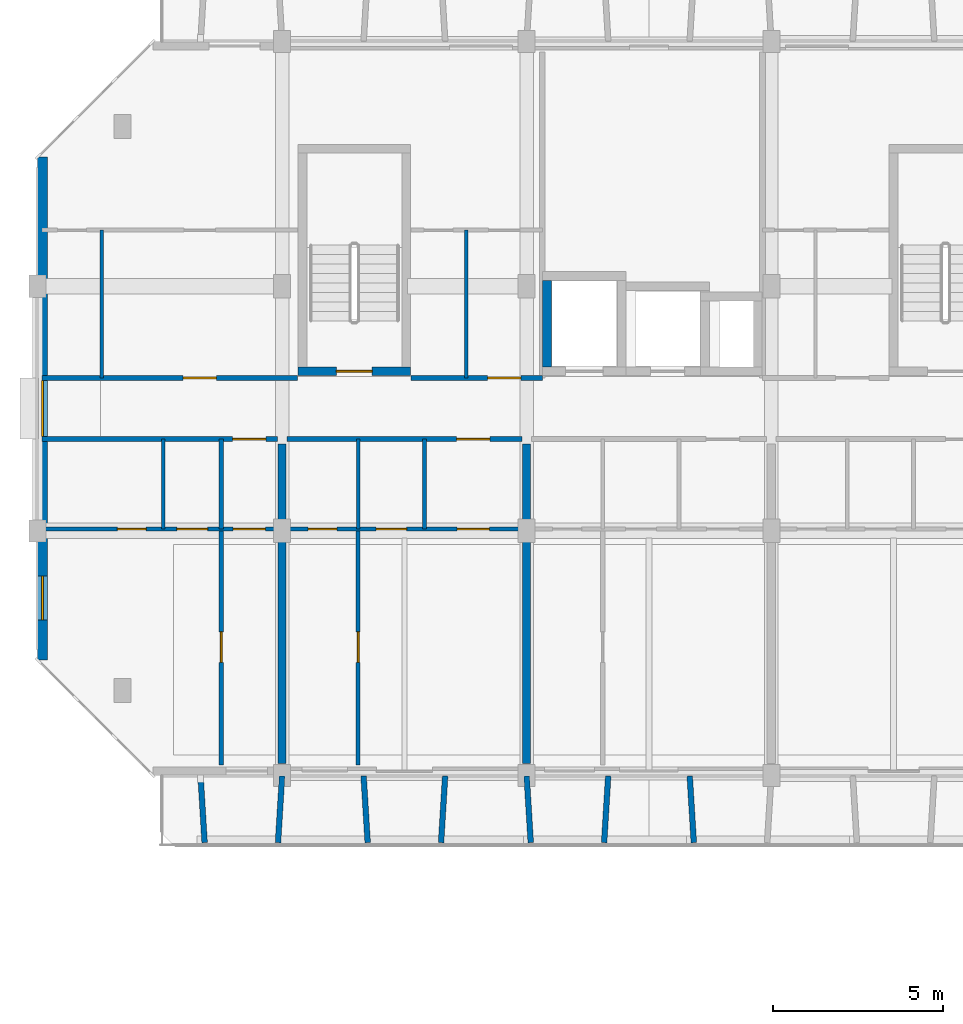
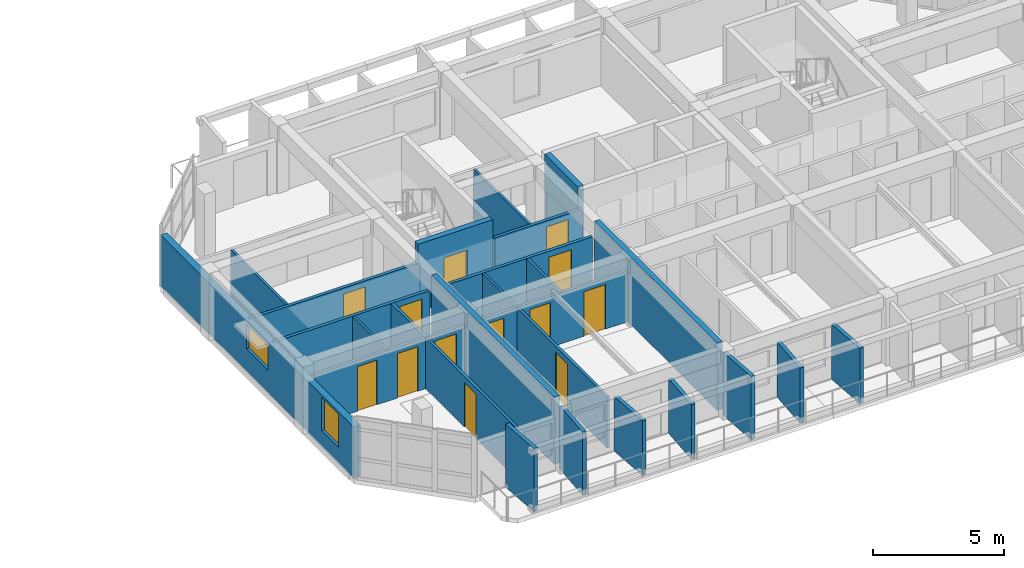
# One storey, part 31 of 64: 26 walls, 13 doors, 2 windows, 15 openings.
"""IFC4 building model written with IfcOpenShell, lengths in metres."""

from ifc_helpers import new_model, si_unit, direction, frame, frame_2d, origin, place, context, subcontext, project, spatial, rectangle, extrude, material, layer, layer_set, type_object, element, fill, save


model = new_model("IFC4")

# Units and contexts
model_context = context("Model", 3, precision=1e-05, world=origin(), true_north=direction((0.0, 1.0)))
body_context = subcontext(model_context, "Body", "Model", "MODEL_VIEW")
ifc_project = project(units=[si_unit("LENGTHUNIT", "METRE"), si_unit("AREAUNIT", "SQUARE_METRE"), si_unit("VOLUMEUNIT", "CUBIC_METRE"), si_unit("PLANEANGLEUNIT", "RADIAN"), si_unit("MASSUNIT", "GRAM", prefix="KILO")], contexts=[model_context])

# Site, building, storey
site_placement = place(None, origin())
site = spatial("IfcSite", under=ifc_project, at=site_placement, CompositionType="ELEMENT")
building_placement = place(site_placement, origin())
building = spatial("IfcBuilding", under=site, at=building_placement, Name="Ochrevale Crest", CompositionType="ELEMENT")
storey_placement = place(building_placement, frame((0.0, 0.0, 8.699951171875)))
storey = spatial("IfcBuildingStorey", under=building, at=storey_placement, Name="L02", CompositionType="ELEMENT", Elevation=8.699951171875)

# Wall, opening, door
ifc_material_1 = material(Name="Gypsum plasterboard", Category="gypsum")
ifc_layer_1 = layer(ifc_material_1, 0.139892578125)
ifc_layer_set_1 = layer_set([ifc_layer_1], Name="Gypsum plasterboard")
wall_type_1 = type_object("IfcWallType", Name="WL-COR-140", PredefinedType="PARTITIONING", material=ifc_layer_set_1)
wall_1_placement = place(storey_placement, frame((0.139892578125, 24.300048828125, 0.0), z_axis=(0.0, 0.0, 1.0), x_axis=(1.0, 0.0, 0.0)))
wall_1 = element("IfcWall", 1, at=wall_1_placement, inside=storey, type_object=wall_type_1, Name="Apartment A-L02-U1 corridor wall", PredefinedType="PARTITIONING", context=body_context, shape_type="SweptSolid", body=[
    extrude(rectangle(XDim=6.920166015625, YDim=0.139892578125, at=frame_2d((3.4599609375, 0.0))), origin(), (0.0, 0.0, 1.0), 2.380126953125),
])
opening_1_placement = place(wall_1_placement, frame((6.5849609375, 0.0, 0.0), z_axis=(0.0, 0.0, 1.0), x_axis=(-1.0, 0.0, 0.0)))
opening_1 = element("IfcOpeningElement", 2, at=opening_1_placement, cuts=wall_1, Name="Opening FD01", PredefinedType="OPENING", context=body_context, shape_type="SweptSolid", body=[
    extrude(rectangle(XDim=0.97998046875, YDim=2.10009765625, at=frame_2d((0.489990234375, 1.050048828125))), frame((0.0, 0.080078125, 0.0), z_axis=(0.0, -1.0, 0.0), x_axis=(1.0, 0.0, 0.0)), (0.0, 0.0, 1.0), 0.159912109375),
])
ifc_material_2 = material(Name="Solid-core FSC hardwood", Category="wood")
door_type_1 = type_object("IfcDoorType", Name="DR-APT-950", OperationType="NOTDEFINED", PredefinedType="DOOR", material=ifc_material_2)
door_1_placement = place(opening_1_placement, origin())
door_1 = element("IfcDoor", 3, at=door_1_placement, inside=storey, type_object=door_type_1, Name="Apartment A-L02-U1 entrance door", OperationType="SINGLE_SWING_RIGHT", OverallHeight=2.10009765625, OverallWidth=0.97998046875, PredefinedType="DOOR", context=body_context, shape_type="SweptSolid", body=[
    extrude(rectangle(XDim=0.97998046875, YDim=2.10009765625, at=frame_2d((0.489990234375, 1.050048828125))), frame((0.0, 0.02490234375, 0.0), z_axis=(0.0, -1.0, 0.0), x_axis=(1.0, 0.0, 0.0)), (0.0, 0.0, 1.0), 0.050048828125),
])
fill(opening_1, door_1)

wall_2_placement = place(storey_placement, frame((7.340087890625, 24.300048828125, 0.0), z_axis=(0.0, 0.0, 1.0), x_axis=(1.0, 0.0, 0.0)))
wall_2 = element("IfcWall", 4, at=wall_2_placement, inside=storey, type_object=wall_type_1, Name="Apartment A-L02-U2 corridor wall", PredefinedType="PARTITIONING", context=body_context, shape_type="SweptSolid", body=[
    extrude(rectangle(XDim=6.919921875, YDim=0.139892578125, at=frame_2d((3.4599609375, 0.0))), origin(), (0.0, 0.0, 1.0), 2.380126953125),
])
opening_2_placement = place(wall_2_placement, frame((4.9951171875, 0.0, 0.0)))
opening_2 = element("IfcOpeningElement", 5, at=opening_2_placement, cuts=wall_2, Name="Opening FD01", PredefinedType="OPENING", context=body_context, shape_type="SweptSolid", body=[
    extrude(rectangle(XDim=0.97998046875, YDim=2.10009765625, at=frame_2d((0.489990234375, 1.050048828125))), frame((0.0, 0.080078125, 0.0), z_axis=(0.0, -1.0, 0.0), x_axis=(1.0, 0.0, 0.0)), (0.0, 0.0, 1.0), 0.159912109375),
])
door_2_placement = place(opening_2_placement, origin())
door_2 = element("IfcDoor", 6, at=door_2_placement, inside=storey, type_object=door_type_1, Name="Apartment A-L02-U2 entrance door", OperationType="SINGLE_SWING_LEFT", OverallHeight=2.10009765625, OverallWidth=0.97998046875, PredefinedType="DOOR", context=body_context, shape_type="SweptSolid", body=[
    extrude(rectangle(XDim=0.97998046875, YDim=2.10009765625, at=frame_2d((0.489990234375, 1.050048828125))), frame((0.0, 0.02490234375, 0.0), z_axis=(0.0, -1.0, 0.0), x_axis=(1.0, 0.0, 0.0)), (0.0, 0.0, 1.0), 0.050048828125),
])
fill(opening_2, door_2)

wall_3_placement = place(storey_placement, frame((0.139892578125, 26.10009765625, 0.0), z_axis=(0.0, 0.0, 1.0), x_axis=(1.0, 0.0, 0.0)))
wall_3 = element("IfcWall", 7, at=wall_3_placement, inside=storey, type_object=wall_type_1, Name="Suite A-L02-CW corridor wall", PredefinedType="PARTITIONING", context=body_context, shape_type="SweptSolid", body=[
    extrude(rectangle(XDim=7.52001953125, YDim=0.139892578125, at=frame_2d((3.760009765625, 0.0))), origin(), (0.0, 0.0, 1.0), 2.380126953125),
])
opening_3_placement = place(wall_3_placement, frame((5.125, 0.0, 0.0), z_axis=(0.0, 0.0, 1.0), x_axis=(-1.0, 0.0, 0.0)))
opening_3 = element("IfcOpeningElement", 8, at=opening_3_placement, cuts=wall_3, Name="Opening FD01", PredefinedType="OPENING", context=body_context, shape_type="SweptSolid", body=[
    extrude(rectangle(XDim=0.97998046875, YDim=2.10009765625, at=frame_2d((0.489990234375, 1.050048828125))), frame((0.0, 0.080078125, 0.0), z_axis=(0.0, -1.0, 0.0), x_axis=(1.0, 0.0, 0.0)), (0.0, 0.0, 1.0), 0.159912109375),
])
door_3_placement = place(opening_3_placement, origin())
door_3 = element("IfcDoor", 9, at=door_3_placement, inside=storey, type_object=door_type_1, Name="Suite A-L02-CW entrance door", OperationType="SINGLE_SWING_RIGHT", OverallHeight=2.10009765625, OverallWidth=0.97998046875, PredefinedType="DOOR", context=body_context, shape_type="SweptSolid", body=[
    extrude(rectangle(XDim=0.97998046875, YDim=2.10009765625, at=frame_2d((0.489990234375, 1.050048828125))), frame((0.0, 0.02490234375, 0.0), z_axis=(0.0, -1.0, 0.0), x_axis=(1.0, 0.0, 0.0)), (0.0, 0.0, 1.0), 0.050048828125),
])
fill(opening_3, door_3)

wall_4_placement = place(storey_placement, frame((10.989990234375, 26.10009765625, 0.0), z_axis=(0.0, 0.0, 1.0), x_axis=(1.0, 0.0, 0.0)))
wall_4 = element("IfcWall", 10, at=wall_4_placement, inside=storey, type_object=wall_type_1, Name="Suite A-L02-MW corridor wall", PredefinedType="PARTITIONING", context=body_context, shape_type="SweptSolid", body=[
    extrude(rectangle(XDim=3.8701171875, YDim=0.139892578125, at=frame_2d((1.93505859375, 0.0))), origin(), (0.0, 0.0, 1.0), 2.380126953125),
])
opening_4_placement = place(wall_4_placement, frame((2.2578125, 0.0, 0.0)))
opening_4 = element("IfcOpeningElement", 11, at=opening_4_placement, cuts=wall_4, Name="Opening FD01", PredefinedType="OPENING", context=body_context, shape_type="SweptSolid", body=[
    extrude(rectangle(XDim=0.97998046875, YDim=2.10009765625, at=frame_2d((0.489990234375, 1.050048828125))), frame((0.0, 0.080078125, 0.0), z_axis=(0.0, -1.0, 0.0), x_axis=(1.0, 0.0, 0.0)), (0.0, 0.0, 1.0), 0.159912109375),
])
door_4_placement = place(opening_4_placement, origin())
door_4 = element("IfcDoor", 12, at=door_4_placement, inside=storey, type_object=door_type_1, Name="Suite A-L02-MW entrance door", OperationType="SINGLE_SWING_LEFT", OverallHeight=2.10009765625, OverallWidth=0.97998046875, PredefinedType="DOOR", context=body_context, shape_type="SweptSolid", body=[
    extrude(rectangle(XDim=0.97998046875, YDim=2.10009765625, at=frame_2d((0.489990234375, 1.050048828125))), frame((0.0, 0.02490234375, 0.0), z_axis=(0.0, -1.0, 0.0), x_axis=(1.0, 0.0, 0.0)), (0.0, 0.0, 1.0), 0.050048828125),
])
fill(opening_4, door_4)

ifc_material_3 = material(Name="Precast concrete C50/60", Category="concrete")
ifc_layer_2 = layer(ifc_material_3, 0.2548828125)
ifc_layer_set_2 = layer_set([ifc_layer_2], Name="Precast concrete C50/60")
wall_type_2 = type_object("IfcWallType", Name="WL-CORE-255", PredefinedType="SHEAR", material=ifc_layer_set_2)
wall_5_placement = place(storey_placement, frame((7.672607421875, 26.300048828125, 0.0), z_axis=(0.0, 0.0, 1.0), x_axis=(1.0, 0.0, 0.0)))
wall_5 = element("IfcWall", 13, at=wall_5_placement, inside=storey, type_object=wall_type_2, Name="Block A L02 Stair 1 precast core shear wall S", PredefinedType="SHEAR", context=body_context, shape_type="SweptSolid", body=[
    extrude(rectangle(XDim=3.304931640625, YDim=0.2548828125, at=frame_2d((1.65234375, 0.0))), origin(), (0.0, 0.0, 1.0), 3.150146484375),
])
opening_5_placement = place(wall_5_placement, frame((2.177490234375, 0.0, 0.0), z_axis=(0.0, 0.0, 1.0), x_axis=(-1.0, 0.0, 0.0)))
opening_5 = element("IfcOpeningElement", 14, at=opening_5_placement, cuts=wall_5, Name="Opening FD03", PredefinedType="OPENING", context=body_context, shape_type="SweptSolid", body=[
    extrude(rectangle(XDim=1.050048828125, YDim=2.1201171875, at=frame_2d((0.52490234375, 1.06005859375))), frame((0.0, 0.137451171875, 0.0), z_axis=(0.0, -1.0, 0.0), x_axis=(1.0, 0.0, 0.0)), (0.0, 0.0, 1.0), 0.27490234375),
])
door_type_2 = type_object("IfcDoorType", Name="DR-ST-1050", OperationType="NOTDEFINED", PredefinedType="DOOR", material=ifc_material_2)
door_5_placement = place(opening_5_placement, origin())
door_5 = element("IfcDoor", 15, at=door_5_placement, inside=storey, type_object=door_type_2, Name="Block A L02 fire stair 1 door", OperationType="SINGLE_SWING_RIGHT", OverallHeight=2.1201171875, OverallWidth=1.050048828125, PredefinedType="DOOR", context=body_context, shape_type="SweptSolid", body=[
    extrude(rectangle(XDim=1.050048828125, YDim=2.1201171875, at=frame_2d((0.52490234375, 1.06005859375))), frame((0.0, 0.02490234375, 0.0), z_axis=(0.0, -1.0, 0.0), x_axis=(1.0, 0.0, 0.0)), (0.0, 0.0, 1.0), 0.050048828125),
])
fill(opening_5, door_5)

# Wall
wall_6_placement = place(storey_placement, frame((15.0, 26.427490234375, 0.0), z_axis=(0.0, 0.0, 1.0), x_axis=(0.0, 1.0, 0.0)))
element("IfcWall", 16, at=wall_6_placement, inside=storey, type_object=wall_type_2, Name="Block A L02 Lift 1 precast shaft shear wall W", PredefinedType="SHEAR", context=body_context, shape_type="SweptSolid", body=[
    extrude(rectangle(XDim=2.544921875, YDim=0.2548828125, at=frame_2d((1.2724609375, 0.0))), origin(), (0.0, 0.0, 1.0), 3.150146484375),
])

# Wall, openings, windows
ifc_material_4 = material(Name="Clay face brickwork", Category="masonry")
ifc_layer_3 = layer(ifc_material_4, 0.2900390625)
ifc_layer_set_3 = layer_set([ifc_layer_3], Name="Clay face brickwork")
wall_type_3 = type_object("IfcWallType", Name="WL-EXT-BRICK-290", PredefinedType="SOLIDWALL", material=ifc_layer_set_3)
wall_7_placement = place(storey_placement, frame((0.14501953125, 32.60009765625, 0.0), z_axis=(0.0, 0.0, 1.0), x_axis=(0.0, -1.0, 0.0)))
wall_7 = element("IfcWall", 17, at=wall_7_placement, inside=storey, type_object=wall_type_3, Name="Block A L02 external facade wall E7", PredefinedType="SOLIDWALL", context=body_context, shape_type="SweptSolid", body=[
    extrude(rectangle(XDim=14.800048828125, YDim=0.2900390625, at=frame_2d((7.39990234375, 0.0))), origin(), (0.0, 0.0, 1.0), 2.380126953125),
])
opening_6_placement = place(wall_7_placement, frame((6.574951171875, 0.0, 1.050048828125)))
opening_6 = element("IfcOpeningElement", 18, at=opening_6_placement, cuts=wall_7, Name="Opening W19", PredefinedType="OPENING", context=body_context, shape_type="SweptSolid", body=[
    extrude(rectangle(XDim=1.64990234375, YDim=1.14990234375, at=frame_2d((0.824951171875, 0.574951171875))), frame((0.0, 0.155029296875, 0.0), z_axis=(0.0, -1.0, 0.0), x_axis=(1.0, 0.0, 0.0)), (0.0, 0.0, 1.0), 0.31005859375),
])
opening_7_placement = place(wall_7_placement, frame((12.327392578125, 0.0, 0.719970703125)))
opening_7 = element("IfcOpeningElement", 19, at=opening_7_placement, cuts=wall_7, Name="Opening W30", PredefinedType="OPENING", context=body_context, shape_type="SweptSolid", body=[
    extrude(rectangle(XDim=1.300048828125, YDim=1.550048828125, at=frame_2d((0.64990234375, 0.77490234375))), frame((0.0, 0.155029296875, 0.0), z_axis=(0.0, -1.0, 0.0), x_axis=(1.0, 0.0, 0.0)), (0.0, 0.0, 1.0), 0.31005859375),
])
ifc_material_5 = material(Name="Anodised aluminium 6063-T5 and low-E double glazing", Category="aluminium")
window_type_1 = type_object("IfcWindowType", Name="WIN-W19", PartitioningType="SINGLE_PANEL", PredefinedType="WINDOW", material=ifc_material_5)
window_1_placement = place(opening_6_placement, origin())
window_1 = element("IfcWindow", 20, at=window_1_placement, inside=storey, type_object=window_type_1, Name="Block A L02 corridor end daylight window W", OverallHeight=1.14990234375, OverallWidth=1.64990234375, PartitioningType="SINGLE_PANEL", PredefinedType="WINDOW", context=body_context, shape_type="SweptSolid", body=[
    extrude(rectangle(XDim=1.64990234375, YDim=1.14990234375, at=frame_2d((0.824951171875, 0.574951171875))), frame((0.0, 0.030029296875, 0.0), z_axis=(0.0, -1.0, 0.0), x_axis=(1.0, 0.0, 0.0)), (0.0, 0.0, 1.0), 0.06005859375),
])
fill(opening_6, window_1)
window_type_2 = type_object("IfcWindowType", Name="WIN-W30", PartitioningType="SINGLE_PANEL", PredefinedType="WINDOW", material=ifc_material_5)
window_2_placement = place(opening_7_placement, origin())
window_2 = element("IfcWindow", 21, at=window_2_placement, inside=storey, type_object=window_type_2, Name="Block A L02 side suite window W", OverallHeight=1.550048828125, OverallWidth=1.300048828125, PartitioningType="SINGLE_PANEL", PredefinedType="WINDOW", context=body_context, shape_type="SweptSolid", body=[
    extrude(rectangle(XDim=1.300048828125, YDim=1.550048828125, at=frame_2d((0.64990234375, 0.77490234375))), frame((0.0, 0.030029296875, 0.0), z_axis=(0.0, -1.0, 0.0), x_axis=(1.0, 0.0, 0.0)), (0.0, 0.0, 1.0), 0.06005859375),
])
fill(opening_7, window_2)

# Walls
ifc_material_6 = material(Name="Precast concrete C40/50", Category="concrete")
ifc_layer_4 = layer(ifc_material_6, 0.1650390625)
ifc_layer_set_4 = layer_set([ifc_layer_4], Name="Precast concrete C40/50")
wall_type_4 = type_object("IfcWallType", Name="WL-HC-CHEEK-165", PredefinedType="ELEMENTEDWALL", material=ifc_layer_set_4)
for number, where, z_axis, x_axis, name in (
    (22, (4.800048828125, 14.3798828125, 0.0), (0.0, 0.0, 1.0), (0.061046865508, -0.998134900808, 0.0), "Block A L02 S precast honeycomb cheek 1"),
    (23, (7.199951171875, 14.3798828125, 0.0), (0.0, 0.0, 1.0), (-0.061046865508, -0.998134900808, 0.0), "Block A L02 S precast honeycomb cheek 2"),
):
    element("IfcWall", number, at=place(storey_placement, frame(where, z_axis=z_axis, x_axis=x_axis)), inside=storey, type_object=wall_type_4, Name=name, PredefinedType="ELEMENTEDWALL", context=body_context, shape_type="SweptSolid", body=[
        extrude(rectangle(XDim=1.963623046875, YDim=0.1650390625, at=frame_2d((0.98193359375, 0.0))), origin(), (0.0, 0.0, 1.0), 2.949951171875),
    ])
for number, where, z_axis, x_axis, name in (
    (24, (9.60009765625, 14.3798828125, 0.0), (0.0, 0.0, 1.0), (0.061046865508, -0.998134900808, 0.0), "Block A L02 S precast honeycomb cheek 3"),
    (25, (12.0, 14.3798828125, 0.0), (0.0, 0.0, 1.0), (-0.061170732449, -0.998127317276, 0.0), "Block A L02 S precast honeycomb cheek 4"),
):
    element("IfcWall", number, at=place(storey_placement, frame(where, z_axis=z_axis, x_axis=x_axis)), inside=storey, type_object=wall_type_4, Name=name, PredefinedType="ELEMENTEDWALL", context=body_context, shape_type="SweptSolid", body=[
        extrude(rectangle(XDim=1.963623046875, YDim=0.1650390625, at=frame_2d((0.98193359375, 0.0))), origin(), (0.0, 0.0, 1.0), 2.550048828125),
    ])
wall_8_placement = place(storey_placement, frame((14.39990234375, 14.3798828125, 0.0), z_axis=(0.0, 0.0, 1.0), x_axis=(0.061170732449, -0.998127317276, 0.0)))
element("IfcWall", 26, at=wall_8_placement, inside=storey, type_object=wall_type_4, Name="Block A L02 S precast honeycomb cheek 5", PredefinedType="ELEMENTEDWALL", context=body_context, shape_type="SweptSolid", body=[
    extrude(rectangle(XDim=1.963623046875, YDim=0.1650390625, at=frame_2d((0.98193359375, 0.0))), origin(), (0.0, 0.0, 1.0), 2.949951171875),
])
for number, where, z_axis, x_axis, name in (
    (27, (16.800048828125, 14.3798828125, 0.0), (0.0, 0.0, 1.0), (-0.061170732449, -0.998127317276, 0.0), "Block A L02 S precast honeycomb cheek 6"),
    (28, (19.199951171875, 14.3798828125, 0.0), (0.0, 0.0, 1.0), (0.061170732449, -0.998127317276, 0.0), "Block A L02 S precast honeycomb cheek 7"),
):
    element("IfcWall", number, at=place(storey_placement, frame(where, z_axis=z_axis, x_axis=x_axis)), inside=storey, type_object=wall_type_4, Name=name, PredefinedType="ELEMENTEDWALL", context=body_context, shape_type="SweptSolid", body=[
        extrude(rectangle(XDim=1.963623046875, YDim=0.1650390625, at=frame_2d((0.98193359375, 0.0))), origin(), (0.0, 0.0, 1.0), 2.580078125),
    ])
ifc_layer_5 = layer(ifc_material_1, 0.1201171875)
ifc_layer_set_5 = layer_set([ifc_layer_5], Name="Gypsum plasterboard")
wall_type_5 = type_object("IfcWallType", Name="WL-PART-120", PredefinedType="PARTITIONING", material=ifc_layer_set_5)
wall_9_placement = place(storey_placement, frame((5.409912109375, 21.64990234375, 0.0), z_axis=(0.0, 0.0, 1.0), x_axis=(0.0, 1.0, 0.0)))
element("IfcWall", 29, at=wall_9_placement, inside=storey, type_object=wall_type_5, Name="Apartment A-L02-U1 kitchen-foyer wall", PredefinedType="PARTITIONING", context=body_context, shape_type="SweptSolid", body=[
    extrude(rectangle(XDim=2.650146484375, YDim=0.1201171875, at=frame_2d((1.3251953125, 0.0))), origin(), (0.0, 0.0, 1.0), 2.375),
])

# Wall, openings, doors
wall_10_placement = place(storey_placement, frame((0.139892578125, 21.64990234375, 0.0), z_axis=(0.0, 0.0, 1.0), x_axis=(1.0, 0.0, 0.0)))
wall_10 = element("IfcWall", 30, at=wall_10_placement, inside=storey, type_object=wall_type_5, Name="Apartment A-L02-U1 central partition", PredefinedType="PARTITIONING", context=body_context, shape_type="SweptSolid", body=[
    extrude(rectangle(XDim=6.920166015625, YDim=0.1201171875, at=frame_2d((3.4599609375, 0.0))), origin(), (0.0, 0.0, 1.0), 2.375),
])
opening_8_placement = place(wall_10_placement, frame((2.2099609375, 0.0, 0.0)))
opening_8 = element("IfcOpeningElement", 31, at=opening_8_placement, cuts=wall_10, Name="Opening ID01", PredefinedType="OPENING", context=body_context, shape_type="SweptSolid", body=[
    extrude(rectangle(XDim=0.85009765625, YDim=2.080078125, at=frame_2d((0.425048828125, 1.0400390625))), frame((0.0, 0.070068359375, 0.0), z_axis=(0.0, -1.0, 0.0), x_axis=(1.0, 0.0, 0.0)), (0.0, 0.0, 1.0), 0.14013671875),
])
opening_9_placement = place(wall_10_placement, frame((4.864990234375, 0.0, 0.0), z_axis=(0.0, 0.0, 1.0), x_axis=(-1.0, 0.0, 0.0)))
opening_9 = element("IfcOpeningElement", 32, at=opening_9_placement, cuts=wall_10, Name="Opening ID02", PredefinedType="OPENING", context=body_context, shape_type="SweptSolid", body=[
    extrude(rectangle(XDim=0.89990234375, YDim=2.080078125, at=frame_2d((0.449951171875, 1.0400390625))), frame((0.0, 0.070068359375, 0.0), z_axis=(0.0, -1.0, 0.0), x_axis=(1.0, 0.0, 0.0)), (0.0, 0.0, 1.0), 0.14013671875),
])
opening_10_placement = place(wall_10_placement, frame((5.6201171875, 0.0, 0.0)))
opening_10 = element("IfcOpeningElement", 33, at=opening_10_placement, cuts=wall_10, Name="Opening ID06", PredefinedType="OPENING", context=body_context, shape_type="SweptSolid", body=[
    extrude(rectangle(XDim=0.949951171875, YDim=2.080078125, at=frame_2d((0.47509765625, 1.0400390625))), frame((0.0, 0.070068359375, 0.0), z_axis=(0.0, -1.0, 0.0), x_axis=(1.0, 0.0, 0.0)), (0.0, 0.0, 1.0), 0.14013671875),
])
door_type_3 = type_object("IfcDoorType", Name="DR-INT-900", OperationType="NOTDEFINED", PredefinedType="DOOR", material=ifc_material_2)
door_6_placement = place(opening_9_placement, origin())
door_6 = element("IfcDoor", 34, at=door_6_placement, inside=storey, type_object=door_type_3, Name="Apartment A-L02-U1 Kitchen door", OperationType="SINGLE_SWING_RIGHT", OverallHeight=2.080078125, OverallWidth=0.89990234375, PredefinedType="DOOR", context=body_context, shape_type="SweptSolid", body=[
    extrude(rectangle(XDim=0.89990234375, YDim=2.080078125, at=frame_2d((0.449951171875, 1.0400390625))), frame((0.0, 0.02490234375, 0.0), z_axis=(0.0, -1.0, 0.0), x_axis=(1.0, 0.0, 0.0)), (0.0, 0.0, 1.0), 0.050048828125),
])
fill(opening_9, door_6)
door_type_4 = type_object("IfcDoorType", Name="DR-INT-950", OperationType="NOTDEFINED", PredefinedType="DOOR", material=ifc_material_2)
door_7_placement = place(opening_10_placement, origin())
door_7 = element("IfcDoor", 35, at=door_7_placement, inside=storey, type_object=door_type_4, Name="Apartment A-L02-U1 Living Foyer door", OperationType="SINGLE_SWING_LEFT", OverallHeight=2.080078125, OverallWidth=0.949951171875, PredefinedType="DOOR", context=body_context, shape_type="SweptSolid", body=[
    extrude(rectangle(XDim=0.949951171875, YDim=2.080078125, at=frame_2d((0.47509765625, 1.0400390625))), frame((0.0, 0.02490234375, 0.0), z_axis=(0.0, -1.0, 0.0), x_axis=(1.0, 0.0, 0.0)), (0.0, 0.0, 1.0), 0.050048828125),
])
fill(opening_10, door_7)
door_type_5 = type_object("IfcDoorType", Name="DR-WC-850", OperationType="NOTDEFINED", PredefinedType="DOOR", material=ifc_material_2)
door_8_placement = place(opening_8_placement, origin())
door_8 = element("IfcDoor", 36, at=door_8_placement, inside=storey, type_object=door_type_5, Name="Apartment A-L02-U1 Bathroom door", OperationType="SINGLE_SWING_LEFT", OverallHeight=2.080078125, OverallWidth=0.85009765625, PredefinedType="DOOR", context=body_context, shape_type="SweptSolid", body=[
    extrude(rectangle(XDim=0.85009765625, YDim=2.080078125, at=frame_2d((0.425048828125, 1.0400390625))), frame((0.0, 0.02490234375, 0.0), z_axis=(0.0, -1.0, 0.0), x_axis=(1.0, 0.0, 0.0)), (0.0, 0.0, 1.0), 0.050048828125),
])
fill(opening_8, door_8)

# Wall, opening, door
wall_11_placement = place(storey_placement, frame((5.409912109375, 14.699951171875, 0.0), z_axis=(0.0, 0.0, 1.0), x_axis=(0.0, 1.0, 0.0)))
wall_11 = element("IfcWall", 37, at=wall_11_placement, inside=storey, type_object=wall_type_5, Name="Apartment A-L02-U1 bedroom partition", PredefinedType="PARTITIONING", context=body_context, shape_type="SweptSolid", body=[
    extrude(rectangle(XDim=6.949951171875, YDim=0.1201171875, at=frame_2d((3.47509765625, 0.0))), origin(), (0.0, 0.0, 1.0), 2.375),
])
opening_11_placement = place(wall_11_placement, frame((3.9248046875, 0.0, 0.0), z_axis=(0.0, 0.0, 1.0), x_axis=(-1.0, 0.0, 0.0)))
opening_11 = element("IfcOpeningElement", 38, at=opening_11_placement, cuts=wall_11, Name="Opening ID02", PredefinedType="OPENING", context=body_context, shape_type="SweptSolid", body=[
    extrude(rectangle(XDim=0.89990234375, YDim=2.080078125, at=frame_2d((0.449951171875, 1.0400390625))), frame((0.0, 0.070068359375, 0.0), z_axis=(0.0, -1.0, 0.0), x_axis=(1.0, 0.0, 0.0)), (0.0, 0.0, 1.0), 0.14013671875),
])
door_9_placement = place(opening_11_placement, origin())
door_9 = element("IfcDoor", 39, at=door_9_placement, inside=storey, type_object=door_type_3, Name="Apartment A-L02-U1 Master Bedroom door", OperationType="SINGLE_SWING_RIGHT", OverallHeight=2.080078125, OverallWidth=0.89990234375, PredefinedType="DOOR", context=body_context, shape_type="SweptSolid", body=[
    extrude(rectangle(XDim=0.89990234375, YDim=2.080078125, at=frame_2d((0.449951171875, 1.0400390625))), frame((0.0, 0.02490234375, 0.0), z_axis=(0.0, -1.0, 0.0), x_axis=(1.0, 0.0, 0.0)), (0.0, 0.0, 1.0), 0.050048828125),
])
fill(opening_11, door_9)

# Wall
wall_12_placement = place(storey_placement, frame((11.389892578125, 21.64990234375, 0.0), z_axis=(0.0, 0.0, 1.0), x_axis=(0.0, 1.0, 0.0)))
element("IfcWall", 40, at=wall_12_placement, inside=storey, type_object=wall_type_5, Name="Apartment A-L02-U2 kitchen-foyer wall", PredefinedType="PARTITIONING", context=body_context, shape_type="SweptSolid", body=[
    extrude(rectangle(XDim=2.650146484375, YDim=0.1201171875, at=frame_2d((1.3251953125, 0.0))), origin(), (0.0, 0.0, 1.0), 2.375),
])

# Wall, openings, doors
wall_13_placement = place(storey_placement, frame((7.340087890625, 21.64990234375, 0.0), z_axis=(0.0, 0.0, 1.0), x_axis=(1.0, 0.0, 0.0)))
wall_13 = element("IfcWall", 41, at=wall_13_placement, inside=storey, type_object=wall_type_5, Name="Apartment A-L02-U2 central partition", PredefinedType="PARTITIONING", context=body_context, shape_type="SweptSolid", body=[
    extrude(rectangle(XDim=6.919921875, YDim=0.1201171875, at=frame_2d((3.4599609375, 0.0))), origin(), (0.0, 0.0, 1.0), 2.375),
])
opening_12_placement = place(wall_13_placement, frame((1.47509765625, 0.0, 0.0), z_axis=(0.0, 0.0, 1.0), x_axis=(-1.0, 0.0, 0.0)))
opening_12 = element("IfcOpeningElement", 42, at=opening_12_placement, cuts=wall_13, Name="Opening ID01", PredefinedType="OPENING", context=body_context, shape_type="SweptSolid", body=[
    extrude(rectangle(XDim=0.85009765625, YDim=2.080078125, at=frame_2d((0.425048828125, 1.0400390625))), frame((0.0, 0.070068359375, 0.0), z_axis=(0.0, -1.0, 0.0), x_axis=(1.0, 0.0, 0.0)), (0.0, 0.0, 1.0), 0.14013671875),
])
opening_13_placement = place(wall_13_placement, frame((2.625, 0.0, 0.0)))
opening_13 = element("IfcOpeningElement", 43, at=opening_13_placement, cuts=wall_13, Name="Opening ID02", PredefinedType="OPENING", context=body_context, shape_type="SweptSolid", body=[
    extrude(rectangle(XDim=0.89990234375, YDim=2.080078125, at=frame_2d((0.449951171875, 1.0400390625))), frame((0.0, 0.070068359375, 0.0), z_axis=(0.0, -1.0, 0.0), x_axis=(1.0, 0.0, 0.0)), (0.0, 0.0, 1.0), 0.14013671875),
])
opening_14_placement = place(wall_13_placement, frame((5.9599609375, 0.0, 0.0), z_axis=(0.0, 0.0, 1.0), x_axis=(-1.0, 0.0, 0.0)))
opening_14 = element("IfcOpeningElement", 44, at=opening_14_placement, cuts=wall_13, Name="Opening ID06", PredefinedType="OPENING", context=body_context, shape_type="SweptSolid", body=[
    extrude(rectangle(XDim=0.949951171875, YDim=2.080078125, at=frame_2d((0.47509765625, 1.0400390625))), frame((0.0, 0.070068359375, 0.0), z_axis=(0.0, -1.0, 0.0), x_axis=(1.0, 0.0, 0.0)), (0.0, 0.0, 1.0), 0.14013671875),
])
door_10_placement = place(opening_13_placement, origin())
door_10 = element("IfcDoor", 45, at=door_10_placement, inside=storey, type_object=door_type_3, Name="Apartment A-L02-U2 Kitchen door", OperationType="SINGLE_SWING_LEFT", OverallHeight=2.080078125, OverallWidth=0.89990234375, PredefinedType="DOOR", context=body_context, shape_type="SweptSolid", body=[
    extrude(rectangle(XDim=0.89990234375, YDim=2.080078125, at=frame_2d((0.449951171875, 1.0400390625))), frame((0.0, 0.02490234375, 0.0), z_axis=(0.0, -1.0, 0.0), x_axis=(1.0, 0.0, 0.0)), (0.0, 0.0, 1.0), 0.050048828125),
])
fill(opening_13, door_10)
door_11_placement = place(opening_14_placement, origin())
door_11 = element("IfcDoor", 46, at=door_11_placement, inside=storey, type_object=door_type_4, Name="Apartment A-L02-U2 Living Foyer door", OperationType="SINGLE_SWING_RIGHT", OverallHeight=2.080078125, OverallWidth=0.949951171875, PredefinedType="DOOR", context=body_context, shape_type="SweptSolid", body=[
    extrude(rectangle(XDim=0.949951171875, YDim=2.080078125, at=frame_2d((0.47509765625, 1.0400390625))), frame((0.0, 0.02490234375, 0.0), z_axis=(0.0, -1.0, 0.0), x_axis=(1.0, 0.0, 0.0)), (0.0, 0.0, 1.0), 0.050048828125),
])
fill(opening_14, door_11)
door_12_placement = place(opening_12_placement, origin())
door_12 = element("IfcDoor", 47, at=door_12_placement, inside=storey, type_object=door_type_5, Name="Apartment A-L02-U2 Bathroom door", OperationType="SINGLE_SWING_RIGHT", OverallHeight=2.080078125, OverallWidth=0.85009765625, PredefinedType="DOOR", context=body_context, shape_type="SweptSolid", body=[
    extrude(rectangle(XDim=0.85009765625, YDim=2.080078125, at=frame_2d((0.425048828125, 1.0400390625))), frame((0.0, 0.02490234375, 0.0), z_axis=(0.0, -1.0, 0.0), x_axis=(1.0, 0.0, 0.0)), (0.0, 0.0, 1.0), 0.050048828125),
])
fill(opening_12, door_12)

# Wall, opening, door
wall_14_placement = place(storey_placement, frame((9.43994140625, 14.699951171875, 0.0), z_axis=(0.0, 0.0, 1.0), x_axis=(0.0, 1.0, 0.0)))
wall_14 = element("IfcWall", 48, at=wall_14_placement, inside=storey, type_object=wall_type_5, Name="Apartment A-L02-U2 bedroom partition", PredefinedType="PARTITIONING", context=body_context, shape_type="SweptSolid", body=[
    extrude(rectangle(XDim=6.949951171875, YDim=0.1201171875, at=frame_2d((3.47509765625, 0.0))), origin(), (0.0, 0.0, 1.0), 2.375),
])
opening_15_placement = place(wall_14_placement, frame((3.02490234375, 0.0, 0.0)))
opening_15 = element("IfcOpeningElement", 49, at=opening_15_placement, cuts=wall_14, Name="Opening ID02", PredefinedType="OPENING", context=body_context, shape_type="SweptSolid", body=[
    extrude(rectangle(XDim=0.89990234375, YDim=2.080078125, at=frame_2d((0.449951171875, 1.0400390625))), frame((0.0, 0.070068359375, 0.0), z_axis=(0.0, -1.0, 0.0), x_axis=(1.0, 0.0, 0.0)), (0.0, 0.0, 1.0), 0.14013671875),
])
door_13_placement = place(opening_15_placement, origin())
door_13 = element("IfcDoor", 50, at=door_13_placement, inside=storey, type_object=door_type_3, Name="Apartment A-L02-U2 Master Bedroom door", OperationType="SINGLE_SWING_LEFT", OverallHeight=2.080078125, OverallWidth=0.89990234375, PredefinedType="DOOR", context=body_context, shape_type="SweptSolid", body=[
    extrude(rectangle(XDim=0.89990234375, YDim=2.080078125, at=frame_2d((0.449951171875, 1.0400390625))), frame((0.0, 0.02490234375, 0.0), z_axis=(0.0, -1.0, 0.0), x_axis=(1.0, 0.0, 0.0)), (0.0, 0.0, 1.0), 0.050048828125),
])
fill(opening_15, door_13)

# Walls
ifc_layer_6 = layer(ifc_material_3, 0.239990234375)
ifc_layer_set_6 = layer_set([ifc_layer_6], Name="Precast concrete C50/60")
wall_type_6 = type_object("IfcWallType", Name="WL-SHEAR-240", PredefinedType="SHEAR", material=ifc_layer_set_6)
for number, where, z_axis, x_axis, name in (
    (51, (7.199951171875, 14.75, 0.0), (0.0, 0.0, 1.0), (0.0, 1.0, 0.0), "Block A L02 load-bearing precast cross-wall X=7.2"),
    (52, (14.39990234375, 14.75, 0.0), (0.0, 0.0, 1.0), (0.0, 1.0, 0.0), "Block A L02 load-bearing precast cross-wall X=14.4"),
):
    element("IfcWall", number, at=place(storey_placement, frame(where, z_axis=z_axis, x_axis=x_axis)), inside=storey, type_object=wall_type_6, Name=name, PredefinedType="SHEAR", context=body_context, shape_type="SweptSolid", body=[
        extrude(rectangle(XDim=9.39990234375, YDim=0.239990234375, at=frame_2d((4.699951171875, 0.0))), origin(), (0.0, 0.0, 1.0), 3.150146484375),
    ])
ifc_layer_7 = layer(ifc_material_1, 0.10009765625)
ifc_layer_set_7 = layer_set([ifc_layer_7], Name="Gypsum plasterboard")
wall_type_7 = type_object("IfcWallType", Name="WL-WET-100", PredefinedType="PARTITIONING", material=ifc_layer_set_7)
for number, where, z_axis, x_axis, name in (
    (53, (3.699951171875, 21.64990234375, 0.0), (0.0, 0.0, 1.0), (0.0, 1.0, 0.0), "Apartment A-L02-U1 bath-kitchen wall"),
    (54, (9.43994140625, 21.64990234375, 0.0), (0.0, 0.0, 1.0), (0.0, 1.0, 0.0), "Apartment A-L02-U2 bath-kitchen wall"),
):
    element("IfcWall", number, at=place(storey_placement, frame(where, z_axis=z_axis, x_axis=x_axis)), inside=storey, type_object=wall_type_7, Name=name, PredefinedType="PARTITIONING", context=body_context, shape_type="SweptSolid", body=[
        extrude(rectangle(XDim=2.650146484375, YDim=0.10009765625, at=frame_2d((1.3251953125, 0.0))), origin(), (0.0, 0.0, 1.0), 2.375),
    ])
for number, where, z_axis, x_axis, name in (
    (55, (1.889892578125, 26.10009765625, 0.0), (0.0, 0.0, 1.0), (0.0, 1.0, 0.0), "Suite A-L02-CW bathroom divider"),
    (56, (12.615478515625, 26.10009765625, 0.0), (0.0, 0.0, 1.0), (0.0, 1.0, 0.0), "Suite A-L02-MW bathroom divider"),
):
    element("IfcWall", number, at=place(storey_placement, frame(where, z_axis=z_axis, x_axis=x_axis)), inside=storey, type_object=wall_type_7, Name=name, PredefinedType="PARTITIONING", context=body_context, shape_type="SweptSolid", body=[
        extrude(rectangle(XDim=4.349853515625, YDim=0.10009765625, at=frame_2d((2.1748046875, 0.0))), origin(), (0.0, 0.0, 1.0), 2.375),
    ])

save(model, "model.ifc")
